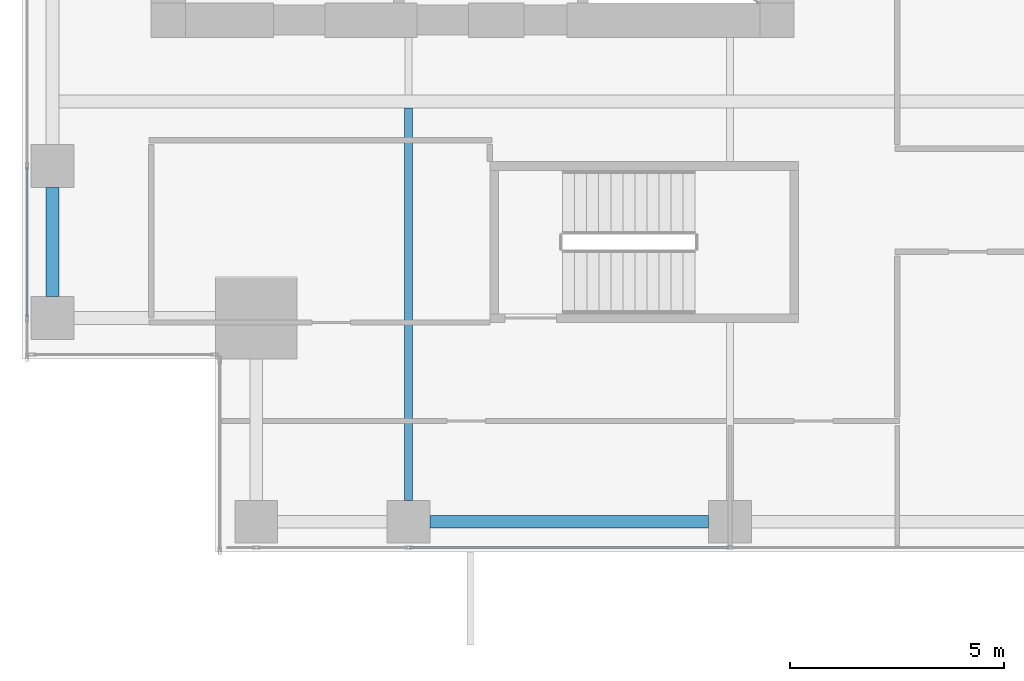
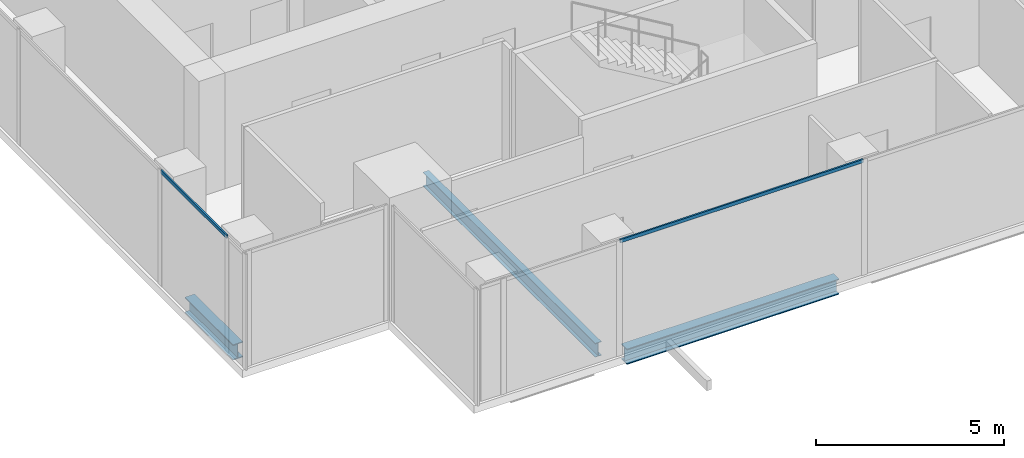
# One storey, part 3 of 40: 3 beams, 2 members, 2 elements without a shape of their own.
"""IFC4 building model written with IfcOpenShell, lengths in metres."""

from ifc_helpers import new_model, si_unit, direction, frame, origin, origin_2d, place, context, subcontext, project, spatial, hollow_rectangle, i_section, extrude, source, transform, mapped, material, material_profile, profile_set, type_object, element, aggregate, save


model = new_model("IFC4")

# Units and contexts
model_context = context("Model", 3, precision=1e-05, world=origin(), true_north=direction((0.0, 1.0)))
body_context = subcontext(model_context, "Body", "Model", "MODEL_VIEW")
ifc_project = project(units=[si_unit("LENGTHUNIT", "METRE"), si_unit("AREAUNIT", "SQUARE_METRE"), si_unit("VOLUMEUNIT", "CUBIC_METRE"), si_unit("PLANEANGLEUNIT", "RADIAN"), si_unit("MASSUNIT", "GRAM", prefix="KILO")], contexts=[model_context])

# Site, building, storey
site_placement = place(None, origin())
site = spatial("IfcSite", under=ifc_project, at=site_placement, CompositionType="ELEMENT")
building_placement = place(site_placement, origin())
building = spatial("IfcBuilding", under=site, at=building_placement, Name="Khomas Fold Tower", CompositionType="ELEMENT")
storey_placement = place(building_placement, frame((0.0, 0.0, 204.699951171875)))
storey = spatial("IfcBuildingStorey", under=building, at=storey_placement, Name="L45", CompositionType="ELEMENT", Elevation=204.699951171875)

# Beams
ifc_material_1 = material(Name="Steel S355", Category="steel")
ifc_material_profile_1 = material_profile(ifc_material_1, i_section(OverallWidth=0.300048828125, OverallDepth=0.5, WebThickness=0.014404296875, FlangeThickness=0.028076171875, at=origin_2d()), Name="HE 500 B")
ifc_profile_set_1 = profile_set([ifc_material_profile_1], Name="Steel S355")
beam_type_1 = type_object("IfcBeamType", Name="HE 500 B spandrel SB3", PredefinedType="SPANDREL", material=ifc_profile_set_1)
shared_shape_1 = source(origin(), body_context, "Body", "SweptSolid", [
    extrude(i_section(OverallWidth=0.300048828125, OverallDepth=0.5, WebThickness=0.014404296875, FlangeThickness=0.028076171875, at=origin_2d()), origin(), (0.0, 0.0, 1.0), 2.550048828125),
])
beam_1_placement = place(storey_placement, frame((3.699951171875, 8.949951171875, -0.5), z_axis=(0.0, 1.0, 0.0), x_axis=(-1.0, 0.0, 0.0)))
element("IfcBeam", 1, at=beam_1_placement, inside=storey, type_object=beam_type_1, Name="SB3", PredefinedType="SPANDREL", context=body_context, shape_type="MappedRepresentation", body=[
    mapped(shared_shape_1, transform((0.0, 0.0, 0.0))),
])
shared_shape_2 = source(origin(), body_context, "Body", "SweptSolid", [
    extrude(i_section(OverallWidth=0.300048828125, OverallDepth=0.5, WebThickness=0.014404296875, FlangeThickness=0.028076171875, at=origin_2d()), origin(), (0.0, 0.0, 1.0), 6.5),
])
beam_2_placement = place(storey_placement, frame((12.5, 3.699951171875, -0.5), z_axis=(1.0, 0.0, 0.0), x_axis=(0.0, 1.0, 0.0)))
element("IfcBeam", 2, at=beam_2_placement, inside=storey, type_object=beam_type_1, Name="SB3", PredefinedType="SPANDREL", context=body_context, shape_type="MappedRepresentation", body=[
    mapped(shared_shape_2, transform((0.0, 0.0, 0.0))),
])
ifc_material_2 = material(Name="Steel S355", Category="steel")
ifc_material_profile_2 = material_profile(ifc_material_2, i_section(OverallWidth=0.18994140625, OverallDepth=0.449951171875, WebThickness=0.009521484375, FlangeThickness=0.0146484375, at=origin_2d()), Name="IPE 450")
ifc_profile_set_2 = profile_set([ifc_material_profile_2], Name="Steel S355")
beam_type_2 = type_object("IfcBeamType", Name="IPE 450 beam JB4", PredefinedType="BEAM", material=ifc_profile_set_2)
shared_shape_3 = source(origin(), body_context, "Body", "SweptSolid", [
    extrude(i_section(OverallWidth=0.18994140625, OverallDepth=0.449951171875, WebThickness=0.009521484375, FlangeThickness=0.0146484375, at=origin_2d()), origin(), (0.0, 0.0, 1.0), 9.150146484375),
])
beam_3_placement = place(storey_placement, frame((12.0, 4.199951171875, -0.474853515625), z_axis=(0.0, 1.0, 0.0), x_axis=(-1.0, 0.0, 0.0)))
element("IfcBeam", 3, at=beam_3_placement, inside=storey, type_object=beam_type_2, Name="JB4", PredefinedType="BEAM", context=body_context, shape_type="MappedRepresentation", body=[
    mapped(shared_shape_3, transform((0.0, 0.0, 0.0))),
])

# Curtain wall, member
ifc_material_3 = material(Name="Aluminium framed double glazing", Category="aluminium")
curtain_wall_type = type_object("IfcCurtainWallType", Name="SK-Unitised clear-glass wall, office floors CW2", PredefinedType="NOTDEFINED", material=ifc_material_3)
curtain_wall_1_placement = place(storey_placement, origin())
curtain_wall_1 = element("IfcCurtainWall", 4, at=curtain_wall_1_placement, inside=storey, type_object=curtain_wall_type, Name="CW2 run L45 09-0", PredefinedType="NOTDEFINED")
ifc_material_4 = material(Name="Aluminium", Category="aluminium")
ifc_material_profile_3 = material_profile(ifc_material_4, hollow_rectangle(XDim=0.050048828125, YDim=0.110107421875, WallThickness=0.00390625, at=origin_2d()), Name="SK-Unitised clear-glass wall, office floors transom CW2-T")
ifc_profile_set_3 = profile_set([ifc_material_profile_3], Name="Aluminium")
member_type = type_object("IfcMemberType", Name="SK-Unitised clear-glass wall, office floors transom CW2-T", PredefinedType="USERDEFINED", material=ifc_profile_set_3)
shared_shape_4 = source(origin(), body_context, "Body", "SweptSolid", [
    extrude(hollow_rectangle(XDim=0.050048828125, YDim=0.110107421875, WallThickness=0.00390625, at=origin_2d()), origin(), (0.0, 0.0, 1.0), 3.489990234375),
])
member_1_placement = place(storey_placement, frame((3.10009765625, 11.969970703125, 3.695068359375), z_axis=(0.0, -1.0, 0.0), x_axis=(1.0, 0.0, 0.0)))
member_1 = element("IfcMember", 5, at=member_1_placement, type_object=member_type, Name="CW2 transom 7", ObjectType="TRANSOM", PredefinedType="USERDEFINED", context=body_context, shape_type="MappedRepresentation", body=[
    mapped(shared_shape_4, transform((0.0, 0.0, 0.0))),
])
aggregate(curtain_wall_1, [member_1])

curtain_wall_2_placement = place(storey_placement, origin())
curtain_wall_2 = element("IfcCurtainWall", 6, at=curtain_wall_2_placement, inside=storey, type_object=curtain_wall_type, Name="CW2 run L45 00-0", PredefinedType="NOTDEFINED")
shared_shape_5 = source(origin(), body_context, "Body", "SweptSolid", [
    extrude(hollow_rectangle(XDim=0.050048828125, YDim=0.110107421875, WallThickness=0.00390625, at=origin_2d()), origin(), (0.0, 0.0, 1.0), 7.43994140625),
])
member_2_placement = place(storey_placement, frame((12.030029296875, 3.10009765625, 3.695068359375), z_axis=(1.0, 0.0, 0.0), x_axis=(0.0, 1.0, 0.0)))
member_2 = element("IfcMember", 7, at=member_2_placement, type_object=member_type, Name="CW2 transom 3", ObjectType="TRANSOM", PredefinedType="USERDEFINED", context=body_context, shape_type="MappedRepresentation", body=[
    mapped(shared_shape_5, transform((0.0, 0.0, 0.0))),
])
aggregate(curtain_wall_2, [member_2])

save(model, "model.ifc")
